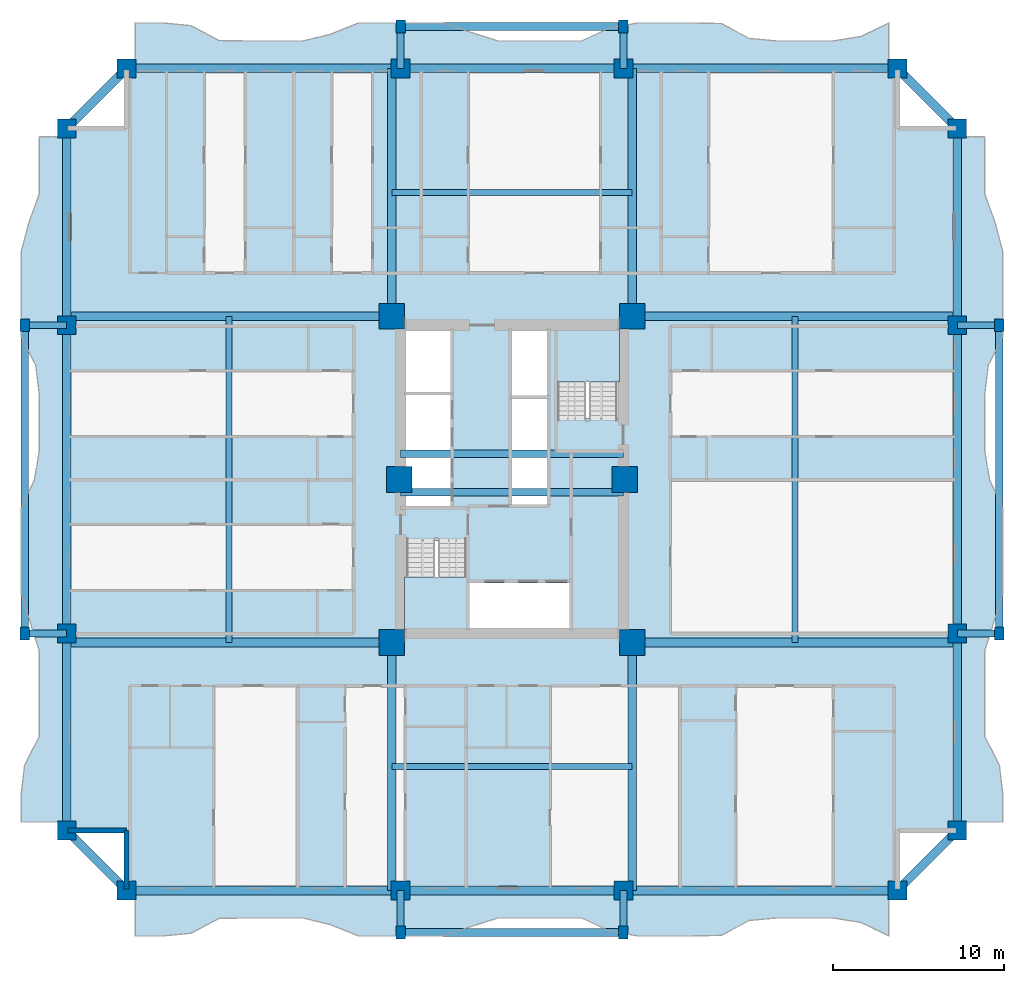
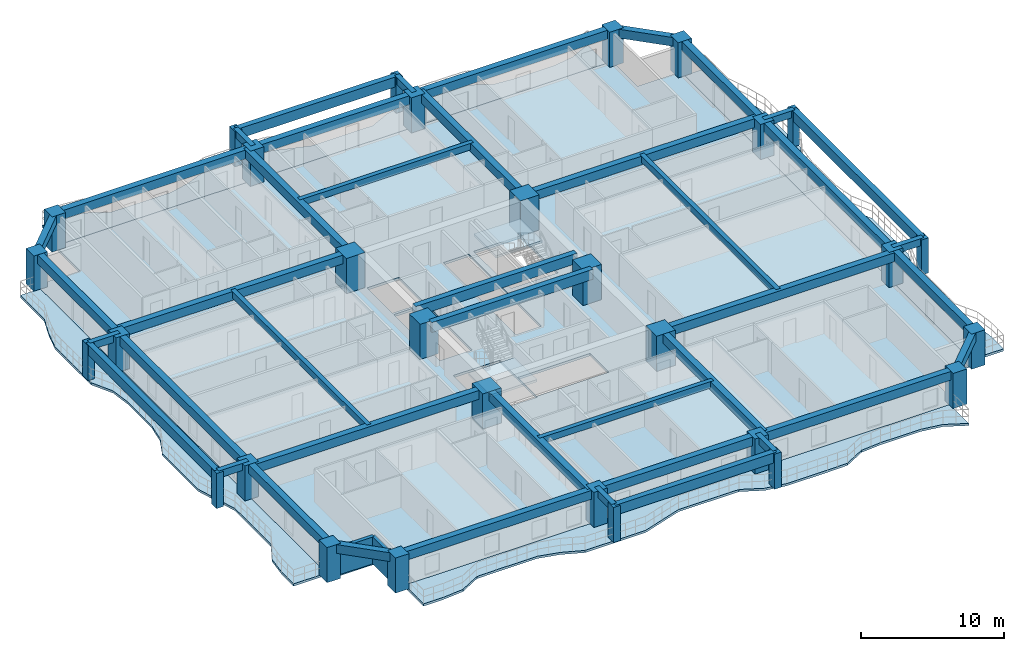
# One storey, part 1 of 15: 42 beams, 30 columns, 7 slabs, 2 walls, 2 elements without a shape of their own.
"""IFC4 building model written with IfcOpenShell, lengths in metres."""

from ifc_helpers import new_model, si_unit, direction, frame, frame_2d, origin, origin_2d, place, context, subcontext, project, spatial, polyline, rectangle, outline, extrude, source, transform, mapped, material, layer, layer_set, material_profile, profile_set, type_object, element, aggregate, save


model = new_model("IFC4")

# Units and contexts
model_context = context("Model", 3, precision=1e-05, world=origin(), true_north=direction((0.0, 1.0)))
body_context = subcontext(model_context, "Body", "Model", "MODEL_VIEW")
ifc_project = project(units=[si_unit("LENGTHUNIT", "METRE"), si_unit("AREAUNIT", "SQUARE_METRE"), si_unit("VOLUMEUNIT", "CUBIC_METRE"), si_unit("PLANEANGLEUNIT", "RADIAN"), si_unit("MASSUNIT", "GRAM", prefix="KILO")], contexts=[model_context])

# Site, building, storey
site_placement = place(None, origin())
site = spatial("IfcSite", under=ifc_project, at=site_placement, CompositionType="ELEMENT")
building_placement = place(site_placement, origin())
building = spatial("IfcBuilding", under=site, at=building_placement, Name="Saelheon Loggia Tower", CompositionType="ELEMENT")
storey_placement = place(building_placement, frame((0.0, 0.0, 46.39990234375)))
storey = spatial("IfcBuildingStorey", under=building, at=storey_placement, Name="L14", CompositionType="ELEMENT", Elevation=46.39990234375)

# Columns
ifc_material_1 = material(Name="Concrete C60/75", Category="concrete")
ifc_material_profile_1 = material_profile(ifc_material_1, rectangle(XDim=1.5, YDim=1.5, at=origin_2d()), Name="RC-1500x1500")
ifc_profile_set_1 = profile_set([ifc_material_profile_1], Name="Concrete C60/75")
column_type_1 = type_object("IfcColumnType", Name="Col_Core_RC1500", PredefinedType="COLUMN", material=ifc_profile_set_1)
shared_shape_1 = source(origin(), body_context, "Body", "SweptSolid", [
    extrude(rectangle(XDim=1.5, YDim=1.5, at=origin_2d()), origin(), (0.0, 0.0, 1.0), 3.0),
])
for number, where, z_axis, x_axis, name in (
    (1, (30.97998046875, 17.47998046875, 0.0), (0.0, 0.0, 1.0), (1.0, 0.0, 0.0), "L14 Core Column CR-SW"),
    (2, (45.02001953125, 17.47998046875, 0.0), (0.0, 0.0, 1.0), (1.0, 0.0, 0.0), "L14 Core Column CR-SE"),
    (3, (30.97998046875, 36.52001953125, 0.0), (0.0, 0.0, 1.0), (1.0, 0.0, 0.0), "L14 Core Column CR-NW"),
    (4, (45.02001953125, 36.52001953125, 0.0), (0.0, 0.0, 1.0), (1.0, 0.0, 0.0), "L14 Core Column CR-NE"),
    (5, (31.419921875, 27.0, 0.0), (0.0, 0.0, 1.0), (1.0, 0.0, 0.0), "L14 Core Column CR-MW"),
    (6, (44.580078125, 27.0, 0.0), (0.0, 0.0, 1.0), (1.0, 0.0, 0.0), "L14 Core Column CR-ME"),
):
    element("IfcColumn", number, at=place(storey_placement, frame(where, z_axis=z_axis, x_axis=x_axis)), inside=storey, type_object=column_type_1, Name=name, PredefinedType="COLUMN", context=body_context, shape_type="MappedRepresentation", body=[
        mapped(shared_shape_1, transform((0.0, 0.0, 0.0), scale=1.0)),
    ])
ifc_material_2 = material(Name="Concrete C50/60", Category="concrete")
ifc_material_profile_2 = material_profile(ifc_material_2, rectangle(XDim=1.10009765625, YDim=1.10009765625, at=origin_2d()), Name="RC-1100x1100")
ifc_profile_set_2 = profile_set([ifc_material_profile_2], Name="Concrete C50/60")
column_type_2 = type_object("IfcColumnType", Name="Col_PerimExt_RC1100", PredefinedType="COLUMN", material=ifc_profile_set_2)
shared_shape_2 = source(origin(), body_context, "Body", "SweptSolid", [
    extrude(rectangle(XDim=1.10009765625, YDim=1.10009765625, at=origin_2d()), origin(), (0.0, 0.0, 1.0), 3.0),
])
for number, where, z_axis, x_axis, name in (
    (7, (15.5, 3.0, 0.0), (0.0, 0.0, 1.0), (1.0, 0.0, 0.0), "L14 Perimeter Column TP-S1"),
    (8, (31.5, 3.0, 0.0), (0.0, 0.0, 1.0), (1.0, 0.0, 0.0), "L14 Perimeter Column TP-SA"),
    (9, (44.5, 3.0, 0.0), (0.0, 0.0, 1.0), (1.0, 0.0, 0.0), "L14 Perimeter Column TP-SB"),
    (10, (60.5, 3.0, 0.0), (0.0, 0.0, 1.0), (1.0, 0.0, 0.0), "L14 Perimeter Column TP-S2"),
    (11, (64.0, 6.5, 0.0), (0.0, 0.0, 1.0), (1.0, 0.0, 0.0), "L14 Perimeter Column TP-E1"),
    (12, (64.0, 18.0, 0.0), (0.0, 0.0, 1.0), (1.0, 0.0, 0.0), "L14 Perimeter Column TP-EA"),
    (13, (64.0, 36.0, 0.0), (0.0, 0.0, 1.0), (1.0, 0.0, 0.0), "L14 Perimeter Column TP-EB"),
    (14, (64.0, 47.5, 0.0), (0.0, 0.0, 1.0), (1.0, 0.0, 0.0), "L14 Perimeter Column TP-E2"),
    (15, (60.5, 51.0, 0.0), (0.0, 0.0, 1.0), (1.0, 0.0, 0.0), "L14 Perimeter Column TP-N2"),
    (16, (44.5, 51.0, 0.0), (0.0, 0.0, 1.0), (1.0, 0.0, 0.0), "L14 Perimeter Column TP-NB"),
    (17, (31.5, 51.0, 0.0), (0.0, 0.0, 1.0), (1.0, 0.0, 0.0), "L14 Perimeter Column TP-NA"),
    (18, (15.5, 51.0, 0.0), (0.0, 0.0, 1.0), (1.0, 0.0, 0.0), "L14 Perimeter Column TP-N1"),
    (19, (12.0, 47.5, 0.0), (0.0, 0.0, 1.0), (1.0, 0.0, 0.0), "L14 Perimeter Column TP-W2"),
    (20, (12.0, 36.0, 0.0), (0.0, 0.0, 1.0), (1.0, 0.0, 0.0), "L14 Perimeter Column TP-WB"),
    (21, (12.0, 18.0, 0.0), (0.0, 0.0, 1.0), (1.0, 0.0, 0.0), "L14 Perimeter Column TP-WA"),
    (22, (12.0, 6.5, 0.0), (0.0, 0.0, 1.0), (1.0, 0.0, 0.0), "L14 Perimeter Column TP-W1"),
):
    element("IfcColumn", number, at=place(storey_placement, frame(where, z_axis=z_axis, x_axis=x_axis)), inside=storey, type_object=column_type_2, Name=name, PredefinedType="COLUMN", context=body_context, shape_type="MappedRepresentation", body=[
        mapped(shared_shape_2, transform((0.0, 0.0, 0.0), scale=1.0)),
    ])
ifc_material_3 = material(Name="Precast Concrete C45/55", Category="concrete")
ifc_material_profile_3 = material_profile(ifc_material_3, rectangle(XDim=0.550048828125, YDim=0.75, at=origin_2d()), Name="RC-550x750")
ifc_profile_set_3 = profile_set([ifc_material_profile_3], Name="Precast Concrete C45/55")
column_type_3 = type_object("IfcColumnType", Name="Col_Loggia_Pilaster_750", PredefinedType="PILASTER", material=ifc_profile_set_3)
shared_shape_3 = source(origin(), body_context, "Body", "SweptSolid", [
    extrude(rectangle(XDim=0.550048828125, YDim=0.75, at=origin_2d()), origin(), (0.0, 0.0, 1.0), 3.0),
])
for number, where, z_axis, x_axis, name in (
    (23, (31.5, 0.550048828125, 0.0), (0.0, 0.0, 1.0), (1.0, 0.0, 0.0), "L14 Loggia Frame Pilaster LP-S1"),
    (24, (44.5, 0.550048828125, 0.0), (0.0, 0.0, 1.0), (1.0, 0.0, 0.0), "L14 Loggia Frame Pilaster LP-S2"),
    (25, (31.5, 53.449951171875, 0.0), (0.0, 0.0, 1.0), (1.0, 0.0, 0.0), "L14 Loggia Frame Pilaster LP-N1"),
    (26, (44.5, 53.449951171875, 0.0), (0.0, 0.0, 1.0), (1.0, 0.0, 0.0), "L14 Loggia Frame Pilaster LP-N2"),
    (27, (66.449951171875, 18.0, 0.0), (0.0, 0.0, 1.0), (1.0, 0.0, 0.0), "L14 Loggia Frame Pilaster LP-E1"),
    (28, (66.449951171875, 36.0, 0.0), (0.0, 0.0, 1.0), (1.0, 0.0, 0.0), "L14 Loggia Frame Pilaster LP-E2"),
    (29, (9.550048828125, 18.0, 0.0), (0.0, 0.0, 1.0), (1.0, 0.0, 0.0), "L14 Loggia Frame Pilaster LP-W1"),
    (30, (9.550048828125, 36.0, 0.0), (0.0, 0.0, 1.0), (1.0, 0.0, 0.0), "L14 Loggia Frame Pilaster LP-W2"),
):
    element("IfcColumn", number, at=place(storey_placement, frame(where, z_axis=z_axis, x_axis=x_axis)), inside=storey, type_object=column_type_3, Name=name, PredefinedType="PILASTER", context=body_context, shape_type="MappedRepresentation", body=[
        mapped(shared_shape_3, transform((0.0, 0.0, 0.0), scale=1.0)),
    ])

# Beams
ifc_material_profile_4 = material_profile(ifc_material_2, rectangle(XDim=0.449951171875, YDim=0.85009765625, at=origin_2d()), Name="RC-450x850")
ifc_profile_set_4 = profile_set([ifc_material_profile_4], Name="Concrete C50/60")
beam_type_1 = type_object("IfcBeamType", Name="Beam_CoreLintel_RC450x850", PredefinedType="LINTEL", material=ifc_profile_set_4)
shared_shape_4 = source(origin(), body_context, "Body", "SweptSolid", [
    extrude(rectangle(XDim=0.449951171875, YDim=0.85009765625, at=origin_2d()), origin(), (0.0, 0.0, 1.0), 13.0),
])
for number, where, z_axis, x_axis, name in (
    (31, (31.5, 26.25, 2.5751953125), (1.0, 0.0, 0.0), (0.0, 1.0, 0.0), "L14 Core Coupling Lintel 1"),
    (32, (31.5, 28.5, 2.5751953125), (1.0, 0.0, 0.0), (0.0, 1.0, 0.0), "L14 Core Coupling Lintel 2"),
):
    element("IfcBeam", number, at=place(storey_placement, frame(where, z_axis=z_axis, x_axis=x_axis)), inside=storey, type_object=beam_type_1, Name=name, PredefinedType="LINTEL", context=body_context, shape_type="MappedRepresentation", body=[
        mapped(shared_shape_4, transform((0.0, 0.0, 0.0), scale=1.0)),
    ])
ifc_material_profile_5 = material_profile(ifc_material_3, rectangle(XDim=0.449951171875, YDim=0.85009765625, at=origin_2d()), Name="RC-450x850")
ifc_profile_set_5 = profile_set([ifc_material_profile_5], Name="Precast Concrete C45/55")
beam_type_2 = type_object("IfcBeamType", Name="Beam_LoggiaSpandrel_RC450x850", PredefinedType="SPANDREL", material=ifc_profile_set_5)
for number, where, z_axis, x_axis, name in (
    (33, (31.5, 0.550048828125, 2.5751953125), (1.0, 0.0, 0.0), (0.0, 1.0, 0.0), "L14 Loggia Spandrel Beam S"),
    (34, (31.5, 53.449951171875, 2.5751953125), (1.0, 0.0, 0.0), (0.0, 1.0, 0.0), "L14 Loggia Spandrel Beam N"),
):
    element("IfcBeam", number, at=place(storey_placement, frame(where, z_axis=z_axis, x_axis=x_axis)), inside=storey, type_object=beam_type_2, Name=name, PredefinedType="SPANDREL", context=body_context, shape_type="MappedRepresentation", body=[
        mapped(shared_shape_4, transform((0.0, 0.0, 0.0), scale=1.0)),
    ])
ifc_material_4 = material(Name="Concrete C45/55", Category="concrete")
ifc_material_profile_6 = material_profile(ifc_material_4, rectangle(XDim=0.5, YDim=0.75, at=origin_2d()), Name="RC-500x750")
ifc_profile_set_6 = profile_set([ifc_material_profile_6], Name="Concrete C45/55")
beam_type_3 = type_object("IfcBeamType", Name="Beam_FloorGirder_RC500x750", PredefinedType="BEAM", material=ifc_profile_set_6)
shared_shape_5 = source(origin(), body_context, "Body", "SweptSolid", [
    extrude(rectangle(XDim=0.5, YDim=0.75, at=origin_2d()), origin(), (0.0, 0.0, 1.0), 14.47998046875),
])
for number, where, z_axis, x_axis, name in (
    (35, (30.97998046875, 17.47998046875, 2.625), (0.0, -1.0, 0.0), (1.0, 0.0, 0.0), "L14 Radial Floor Girder RAD-SW-S"),
    (36, (45.02001953125, 17.47998046875, 2.625), (0.0, -1.0, 0.0), (1.0, 0.0, 0.0), "L14 Radial Floor Girder RAD-SE-S"),
    (37, (30.97998046875, 36.52001953125, 2.625), (0.0, 1.0, 0.0), (-1.0, 0.0, 0.0), "L14 Radial Floor Girder RAD-NW-N"),
    (38, (45.02001953125, 36.52001953125, 2.625), (0.0, 1.0, 0.0), (-1.0, 0.0, 0.0), "L14 Radial Floor Girder RAD-NE-N"),
):
    element("IfcBeam", number, at=place(storey_placement, frame(where, z_axis=z_axis, x_axis=x_axis)), inside=storey, type_object=beam_type_3, Name=name, PredefinedType="BEAM", context=body_context, shape_type="MappedRepresentation", body=[
        mapped(shared_shape_5, transform((0.0, 0.0, 0.0), scale=1.0)),
    ])
ifc_material_profile_7 = material_profile(ifc_material_4, rectangle(XDim=0.5, YDim=0.75, at=origin_2d()), Name="RC-500x750")
ifc_profile_set_7 = profile_set([ifc_material_profile_7], Name="Concrete C45/55")
beam_type_4 = type_object("IfcBeamType", Name="Beam_PerimGirder_RC500x750", PredefinedType="BEAM", material=ifc_profile_set_7)
shared_shape_6 = source(origin(), body_context, "Body", "SweptSolid", [
    extrude(rectangle(XDim=0.5, YDim=0.75, at=origin_2d()), origin(), (0.0, 0.0, 1.0), 16.0),
])
for number, where, z_axis, x_axis, name in (
    (39, (15.5, 3.0, 2.625), (1.0, 0.0, 0.0), (0.0, 1.0, 0.0), "L14 Perimeter Frame Girder 01"),
    (40, (44.5, 3.0, 2.625), (1.0, 0.0, 0.0), (0.0, 1.0, 0.0), "L14 Perimeter Frame Girder 03"),
    (41, (60.5, 51.0, 2.625), (-1.0, 0.0, 0.0), (0.0, -1.0, 0.0), "L14 Perimeter Frame Girder 09"),
    (42, (31.5, 51.0, 2.625), (-1.0, 0.0, 0.0), (0.0, -1.0, 0.0), "L14 Perimeter Frame Girder 11"),
):
    element("IfcBeam", number, at=place(storey_placement, frame(where, z_axis=z_axis, x_axis=x_axis)), inside=storey, type_object=beam_type_4, Name=name, PredefinedType="BEAM", context=body_context, shape_type="MappedRepresentation", body=[
        mapped(shared_shape_6, transform((0.0, 0.0, 0.0), scale=1.0)),
    ])
shared_shape_7 = source(origin(), body_context, "Body", "SweptSolid", [
    extrude(rectangle(XDim=0.5, YDim=0.75, at=origin_2d()), origin(), (0.0, 0.0, 1.0), 13.0),
])
for number, where, z_axis, x_axis, name in (
    (43, (31.5, 3.0, 2.625), (1.0, 0.0, 0.0), (0.0, 1.0, 0.0), "L14 Perimeter Frame Girder 02"),
    (44, (44.5, 51.0, 2.625), (-1.0, 0.0, 0.0), (0.0, -1.0, 0.0), "L14 Perimeter Frame Girder 10"),
):
    element("IfcBeam", number, at=place(storey_placement, frame(where, z_axis=z_axis, x_axis=x_axis)), inside=storey, type_object=beam_type_4, Name=name, PredefinedType="BEAM", context=body_context, shape_type="MappedRepresentation", body=[
        mapped(shared_shape_7, transform((0.0, 0.0, 0.0), scale=1.0)),
    ])
shared_shape_8 = source(origin(), body_context, "Body", "SweptSolid", [
    extrude(rectangle(XDim=0.5, YDim=0.75, at=origin_2d()), origin(), (0.0, 0.0, 1.0), 4.94970703125),
])
for number, where, z_axis, x_axis, name in (
    (45, (60.5, 3.0, 2.625), (0.707106781187, 0.707106781187, 0.0), (-0.707106781187, 0.707106781187, 0.0), "L14 Perimeter Frame Girder 04"),
    (46, (64.0, 47.5, 2.625), (-0.707106781187, 0.707106781187, 0.0), (-0.707106781187, -0.707106781187, 0.0), "L14 Perimeter Frame Girder 08"),
    (47, (15.5, 51.0, 2.625), (-0.707106781187, -0.707106781187, 0.0), (0.707106781187, -0.707106781187, 0.0), "L14 Perimeter Frame Girder 12"),
    (48, (12.0, 6.5, 2.625), (0.707106781187, -0.707106781187, 0.0), (0.707106781187, 0.707106781187, 0.0), "L14 Perimeter Frame Girder 16"),
):
    element("IfcBeam", number, at=place(storey_placement, frame(where, z_axis=z_axis, x_axis=x_axis)), inside=storey, type_object=beam_type_4, Name=name, PredefinedType="BEAM", context=body_context, shape_type="MappedRepresentation", body=[
        mapped(shared_shape_8, transform((0.0, 0.0, 0.0), scale=1.0)),
    ])
shared_shape_9 = source(origin(), body_context, "Body", "SweptSolid", [
    extrude(rectangle(XDim=0.5, YDim=0.75, at=origin_2d()), origin(), (0.0, 0.0, 1.0), 11.5),
])
for number, where, z_axis, x_axis, name in (
    (49, (64.0, 6.5, 2.625), (0.0, 1.0, 0.0), (-1.0, 0.0, 0.0), "L14 Perimeter Frame Girder 05"),
    (50, (64.0, 36.0, 2.625), (0.0, 1.0, 0.0), (-1.0, 0.0, 0.0), "L14 Perimeter Frame Girder 07"),
    (51, (12.0, 47.5, 2.625), (0.0, -1.0, 0.0), (1.0, 0.0, 0.0), "L14 Perimeter Frame Girder 13"),
    (52, (12.0, 18.0, 2.625), (0.0, -1.0, 0.0), (1.0, 0.0, 0.0), "L14 Perimeter Frame Girder 15"),
):
    element("IfcBeam", number, at=place(storey_placement, frame(where, z_axis=z_axis, x_axis=x_axis)), inside=storey, type_object=beam_type_4, Name=name, PredefinedType="BEAM", context=body_context, shape_type="MappedRepresentation", body=[
        mapped(shared_shape_9, transform((0.0, 0.0, 0.0), scale=1.0)),
    ])
shared_shape_10 = source(origin(), body_context, "Body", "SweptSolid", [
    extrude(rectangle(XDim=0.5, YDim=0.75, at=origin_2d()), origin(), (0.0, 0.0, 1.0), 18.0),
])
for number, where, z_axis, x_axis, name in (
    (53, (64.0, 18.0, 2.625), (0.0, 1.0, 0.0), (-1.0, 0.0, 0.0), "L14 Perimeter Frame Girder 06"),
    (54, (12.0, 36.0, 2.625), (0.0, -1.0, 0.0), (1.0, 0.0, 0.0), "L14 Perimeter Frame Girder 14"),
):
    element("IfcBeam", number, at=place(storey_placement, frame(where, z_axis=z_axis, x_axis=x_axis)), inside=storey, type_object=beam_type_4, Name=name, PredefinedType="BEAM", context=body_context, shape_type="MappedRepresentation", body=[
        mapped(shared_shape_10, transform((0.0, 0.0, 0.0), scale=1.0)),
    ])
shared_shape_11 = source(origin(), body_context, "Body", "SweptSolid", [
    extrude(rectangle(XDim=0.5, YDim=0.75, at=origin_2d()), origin(), (0.0, 0.0, 1.0), 18.97998046875),
])
for number, where, z_axis, x_axis, name in (
    (55, (30.97998046875, 17.47998046875, 2.625), (-1.0, 0.0, 0.0), (0.0, -1.0, 0.0), "L14 Radial Floor Girder RAD-SW-W"),
    (56, (30.97998046875, 36.52001953125, 2.625), (-1.0, 0.0, 0.0), (0.0, -1.0, 0.0), "L14 Radial Floor Girder RAD-NW-W"),
    (57, (45.02001953125, 17.47998046875, 2.625), (1.0, 0.0, 0.0), (0.0, 1.0, 0.0), "L14 Radial Floor Girder RAD-SE-E"),
    (58, (45.02001953125, 36.52001953125, 2.625), (1.0, 0.0, 0.0), (0.0, 1.0, 0.0), "L14 Radial Floor Girder RAD-NE-E"),
):
    element("IfcBeam", number, at=place(storey_placement, frame(where, z_axis=z_axis, x_axis=x_axis)), inside=storey, type_object=beam_type_3, Name=name, PredefinedType="BEAM", context=body_context, shape_type="MappedRepresentation", body=[
        mapped(shared_shape_11, transform((0.0, 0.0, 0.0), scale=1.0)),
    ])
ifc_material_5 = material(Name="Concrete C40/50", Category="concrete")
ifc_material_profile_8 = material_profile(ifc_material_5, rectangle(XDim=0.35009765625, YDim=0.550048828125, at=origin_2d()), Name="RC-350x550")
ifc_profile_set_8 = profile_set([ifc_material_profile_8], Name="Concrete C40/50")
beam_type_5 = type_object("IfcBeamType", Name="Beam_Joist_RC350x550", PredefinedType="JOIST", material=ifc_profile_set_8)
shared_shape_12 = source(origin(), body_context, "Body", "SweptSolid", [
    extrude(rectangle(XDim=0.35009765625, YDim=0.550048828125, at=origin_2d()), origin(), (0.0, 0.0, 1.0), 14.0400390625),
])
for number, where, z_axis, x_axis, name in (
    (59, (30.97998046875, 10.239990234375, 2.72509765625), (1.0, 0.0, 0.0), (0.0, 1.0, 0.0), "L14 South Floor Joist"),
    (60, (30.97998046875, 43.760009765625, 2.72509765625), (1.0, 0.0, 0.0), (0.0, 1.0, 0.0), "L14 North Floor Joist"),
):
    element("IfcBeam", number, at=place(storey_placement, frame(where, z_axis=z_axis, x_axis=x_axis)), inside=storey, type_object=beam_type_5, Name=name, PredefinedType="JOIST", context=body_context, shape_type="MappedRepresentation", body=[
        mapped(shared_shape_12, transform((0.0, 0.0, 0.0), scale=1.0)),
    ])
shared_shape_13 = source(origin(), body_context, "Body", "SweptSolid", [
    extrude(rectangle(XDim=0.35009765625, YDim=0.550048828125, at=origin_2d()), origin(), (0.0, 0.0, 1.0), 19.0400390625),
])
for number, where, z_axis, x_axis, name in (
    (61, (21.489990234375, 17.47998046875, 2.72509765625), (0.0, 1.0, 0.0), (-1.0, 0.0, 0.0), "L14 West Floor Joist"),
    (62, (54.510009765625, 17.47998046875, 2.72509765625), (0.0, 1.0, 0.0), (-1.0, 0.0, 0.0), "L14 East Floor Joist"),
):
    element("IfcBeam", number, at=place(storey_placement, frame(where, z_axis=z_axis, x_axis=x_axis)), inside=storey, type_object=beam_type_5, Name=name, PredefinedType="JOIST", context=body_context, shape_type="MappedRepresentation", body=[
        mapped(shared_shape_13, transform((0.0, 0.0, 0.0), scale=1.0)),
    ])
ifc_material_profile_9 = material_profile(ifc_material_3, rectangle(XDim=0.39990234375, YDim=0.60009765625, at=origin_2d()), Name="RC-400x600")
ifc_profile_set_9 = profile_set([ifc_material_profile_9], Name="Precast Concrete C45/55")
beam_type_6 = type_object("IfcBeamType", Name="Beam_LoggiaTie_RC400x600", PredefinedType="BEAM", material=ifc_profile_set_9)
shared_shape_14 = source(origin(), body_context, "Body", "SweptSolid", [
    extrude(rectangle(XDim=0.39990234375, YDim=0.60009765625, at=origin_2d()), origin(), (0.0, 0.0, 1.0), 2.449951171875),
])
for number, where, z_axis, x_axis, name in (
    (63, (31.5, 3.0, 2.7001953125), (0.0, -1.0, 0.0), (1.0, 0.0, 0.0), "L14 Loggia Frame Tie Beam LP-S1"),
    (64, (44.5, 3.0, 2.7001953125), (0.0, -1.0, 0.0), (1.0, 0.0, 0.0), "L14 Loggia Frame Tie Beam LP-S2"),
    (65, (31.5, 51.0, 2.7001953125), (0.0, 1.0, 0.0), (-1.0, 0.0, 0.0), "L14 Loggia Frame Tie Beam LP-N1"),
    (66, (44.5, 51.0, 2.7001953125), (0.0, 1.0, 0.0), (-1.0, 0.0, 0.0), "L14 Loggia Frame Tie Beam LP-N2"),
    (67, (64.0, 18.0, 2.7001953125), (1.0, 0.0, 0.0), (0.0, 1.0, 0.0), "L14 Loggia Frame Tie Beam LP-E1"),
    (68, (64.0, 36.0, 2.7001953125), (1.0, 0.0, 0.0), (0.0, 1.0, 0.0), "L14 Loggia Frame Tie Beam LP-E2"),
    (69, (12.0, 18.0, 2.7001953125), (-1.0, 0.0, 0.0), (0.0, -1.0, 0.0), "L14 Loggia Frame Tie Beam LP-W1"),
    (70, (12.0, 36.0, 2.7001953125), (-1.0, 0.0, 0.0), (0.0, -1.0, 0.0), "L14 Loggia Frame Tie Beam LP-W2"),
):
    element("IfcBeam", number, at=place(storey_placement, frame(where, z_axis=z_axis, x_axis=x_axis)), inside=storey, type_object=beam_type_6, Name=name, PredefinedType="BEAM", context=body_context, shape_type="MappedRepresentation", body=[
        mapped(shared_shape_14, transform((0.0, 0.0, 0.0), scale=1.0)),
    ])
shared_shape_15 = source(origin(), body_context, "Body", "SweptSolid", [
    extrude(rectangle(XDim=0.449951171875, YDim=0.85009765625, at=origin_2d()), origin(), (0.0, 0.0, 1.0), 18.0),
])
for number, where, z_axis, x_axis, name in (
    (71, (66.449951171875, 18.0, 2.5751953125), (0.0, 1.0, 0.0), (-1.0, 0.0, 0.0), "L14 Loggia Spandrel Beam E"),
    (72, (9.550048828125, 18.0, 2.5751953125), (0.0, 1.0, 0.0), (-1.0, 0.0, 0.0), "L14 Loggia Spandrel Beam W"),
):
    element("IfcBeam", number, at=place(storey_placement, frame(where, z_axis=z_axis, x_axis=x_axis)), inside=storey, type_object=beam_type_2, Name=name, PredefinedType="SPANDREL", context=body_context, shape_type="MappedRepresentation", body=[
        mapped(shared_shape_15, transform((0.0, 0.0, 0.0), scale=1.0)),
    ])

# Slabs
ifc_layer_1 = layer(ifc_material_3, 0.18994140625)
ifc_layer_set_1 = layer_set([ifc_layer_1], Name="Precast Concrete C45/55")
slab_type_1 = type_object("IfcSlabType", Name="Slab_Loggia_Ext_190", PredefinedType="FLOOR", material=ifc_layer_set_1)
slab_1_placement = place(storey_placement, frame((0.0, 0.0, -0.18994140625)))
element("IfcSlab", 73, at=slab_1_placement, inside=storey, type_object=slab_type_1, Name="L14 Loggia Balcony Slab S", PredefinedType="FLOOR", context=body_context, shape_type="SweptSolid", body=[
    extrude(outline(polyline([(16.0, 0.35009765625), (17.629638671875, 0.35009765625), (19.25927734375, 0.505615234375), (20.888916015625, 1.37353515625), (22.5185546875, 1.39990234375), (24.148193359375, 1.39990234375), (25.77783203125, 1.39990234375), (27.407470703125, 1.0087890625), (29.037109375, 0.35009765625), (30.666748046875, 0.35009765625), (32.29638671875, 0.35009765625), (33.92578125, 0.35009765625), (35.5556640625, 0.880126953125), (37.185302734375, 1.39990234375), (38.814697265625, 1.39990234375), (40.4443359375, 1.39990234375), (42.07421875, 1.39990234375), (43.70361328125, 0.631591796875), (45.333251953125, 0.35009765625), (46.962890625, 0.35009765625), (48.592529296875, 0.35009765625), (50.22216796875, 0.382568359375), (51.851806640625, 1.252685546875), (53.4814453125, 1.39990234375), (55.111083984375, 1.39990234375), (56.74072265625, 1.39990234375), (58.370361328125, 1.1357421875), (60.0, 0.35009765625), (60.0, 3.0), (16.0, 3.0), (16.0, 0.35009765625)])), origin(), (0.0, 0.0, 1.0), 0.18994140625),
])
slab_2_placement = place(storey_placement, frame((0.0, 0.0, -0.18994140625)))
element("IfcSlab", 74, at=slab_2_placement, inside=storey, type_object=slab_type_1, Name="L14 Loggia Balcony Slab N", PredefinedType="FLOOR", context=body_context, shape_type="SweptSolid", body=[
    extrude(outline(polyline([(16.0, 51.0), (60.0, 51.0), (60.0, 53.64990234375), (58.370361328125, 52.8642578125), (56.74072265625, 52.60009765625), (55.111083984375, 52.60009765625), (53.4814453125, 52.60009765625), (51.851806640625, 52.747314453125), (50.22216796875, 53.617431640625), (48.592529296875, 53.64990234375), (46.962890625, 53.64990234375), (45.333251953125, 53.64990234375), (43.70361328125, 53.368408203125), (42.07421875, 52.60009765625), (40.4443359375, 52.60009765625), (38.814697265625, 52.60009765625), (37.185302734375, 52.60009765625), (35.5556640625, 53.119873046875), (33.92578125, 53.64990234375), (32.29638671875, 53.64990234375), (30.666748046875, 53.64990234375), (29.037109375, 53.64990234375), (27.407470703125, 52.9912109375), (25.77783203125, 52.60009765625), (24.148193359375, 52.60009765625), (22.5185546875, 52.60009765625), (20.888916015625, 52.62646484375), (19.25927734375, 53.494384765625), (17.629638671875, 53.64990234375), (16.0, 53.64990234375), (16.0, 51.0)])), origin(), (0.0, 0.0, 1.0), 0.18994140625),
])
slab_3_placement = place(storey_placement, frame((0.0, 0.0, -0.18994140625)))
element("IfcSlab", 75, at=slab_3_placement, inside=storey, type_object=slab_type_1, Name="L14 Loggia Balcony Slab E", PredefinedType="FLOOR", context=body_context, shape_type="SweptSolid", body=[
    extrude(outline(polyline([(64.0, 7.0), (66.64990234375, 7.0), (66.64990234375, 8.666748046875), (66.455322265625, 10.333251953125), (65.60009765625, 12.0), (65.60009765625, 13.666748046875), (65.60009765625, 15.333251953125), (65.60009765625, 17.0), (66.1318359375, 18.666748046875), (66.64990234375, 20.333251953125), (66.64990234375, 22.0), (66.64990234375, 23.666748046875), (66.64990234375, 25.333251953125), (65.8798828125, 27.0), (65.60009765625, 28.666748046875), (65.60009765625, 30.333251953125), (65.60009765625, 32.0), (65.809326171875, 33.666748046875), (66.64990234375, 35.333251953125), (66.64990234375, 37.0), (66.64990234375, 38.666748046875), (66.64990234375, 40.333251953125), (66.204345703125, 42.0), (65.60009765625, 43.666748046875), (65.60009765625, 45.333251953125), (65.60009765625, 47.0), (64.0, 47.0), (64.0, 7.0)])), origin(), (0.0, 0.0, 1.0), 0.18994140625),
])
slab_4_placement = place(storey_placement, frame((0.0, 0.0, -0.18994140625)))
element("IfcSlab", 76, at=slab_4_placement, inside=storey, type_object=slab_type_1, Name="L14 Loggia Balcony Slab W", PredefinedType="FLOOR", context=body_context, shape_type="SweptSolid", body=[
    extrude(outline(polyline([(12.0, 7.0), (12.0, 47.0), (10.39990234375, 47.0), (10.39990234375, 45.333251953125), (10.39990234375, 43.666748046875), (9.795654296875, 42.0), (9.35009765625, 40.333251953125), (9.35009765625, 38.666748046875), (9.35009765625, 37.0), (9.35009765625, 35.333251953125), (10.190673828125, 33.666748046875), (10.39990234375, 32.0), (10.39990234375, 30.333251953125), (10.39990234375, 28.666748046875), (10.1201171875, 27.0), (9.35009765625, 25.333251953125), (9.35009765625, 23.666748046875), (9.35009765625, 22.0), (9.35009765625, 20.333251953125), (9.8681640625, 18.666748046875), (10.39990234375, 17.0), (10.39990234375, 15.333251953125), (10.39990234375, 13.666748046875), (10.39990234375, 12.0), (9.544677734375, 10.333251953125), (9.35009765625, 8.666748046875), (9.35009765625, 7.0), (12.0, 7.0)])), origin(), (0.0, 0.0, 1.0), 0.18994140625),
])

# Stair, slab
stair_type = type_object("IfcStairType", Name="Stair_Escape_Core", PredefinedType="HALF_TURN_STAIR", material=ifc_material_5)
stair_1_placement = place(storey_placement, origin())
stair_1 = element("IfcStair", 77, at=stair_1_placement, inside=storey, type_object=stair_type, Name="L14 Special Escape Stair ST1", PredefinedType="HALF_TURN_STAIR")
ifc_layer_2 = layer(ifc_material_5, 0.199951171875)
ifc_layer_set_2 = layer_set([ifc_layer_2], Name="Concrete C40/50")
slab_type_2 = type_object("IfcSlabType", Name="Slab_StairLanding_ST1", PredefinedType="LANDING", material=ifc_layer_set_2)
slab_5_placement = place(storey_placement, frame((0.0, 0.0, 1.300048828125)))
slab_5 = element("IfcSlab", 78, at=slab_5_placement, type_object=slab_type_2, Name="ST1 landing 1", PredefinedType="LANDING", context=body_context, shape_type="SweptSolid", body=[
    extrude(outline(polyline([(31.7099609375, 21.31005859375), (31.7099609375, 18.2099609375), (35.469970703125, 18.2099609375), (35.469970703125, 21.31005859375), (31.7099609375, 21.31005859375)])), origin(), (0.0, 0.0, 1.0), 0.199951171875),
])
aggregate(stair_1, [slab_5])

stair_2_placement = place(storey_placement, origin())
stair_2 = element("IfcStair", 79, at=stair_2_placement, inside=storey, type_object=stair_type, Name="L14 Special Escape Stair ST2", PredefinedType="HALF_TURN_STAIR")
ifc_layer_3 = layer(ifc_material_5, 0.199951171875)
ifc_layer_set_3 = layer_set([ifc_layer_3], Name="Concrete C40/50")
slab_type_3 = type_object("IfcSlabType", Name="Slab_StairLanding_ST2", PredefinedType="LANDING", material=ifc_layer_set_3)
slab_6_placement = place(storey_placement, frame((0.0, 0.0, 1.300048828125)))
slab_6 = element("IfcSlab", 80, at=slab_6_placement, type_object=slab_type_3, Name="ST2 landing 1", PredefinedType="LANDING", context=body_context, shape_type="SweptSolid", body=[
    extrude(outline(polyline([(44.2900390625, 32.68994140625), (44.2900390625, 35.7900390625), (40.530029296875, 35.7900390625), (40.530029296875, 32.68994140625), (44.2900390625, 32.68994140625)])), origin(), (0.0, 0.0, 1.0), 0.199951171875),
])
aggregate(stair_2, [slab_6])

# Slab
ifc_layer_4 = layer(ifc_material_5, 0.2099609375)
ifc_layer_set_4 = layer_set([ifc_layer_4], Name="Concrete C40/50")
slab_type_4 = type_object("IfcSlabType", Name="Slab_Tower_210", PredefinedType="FLOOR", material=ifc_layer_set_4)
slab_7_placement = place(storey_placement, frame((0.0, 0.0, -0.2099609375)))
element("IfcSlab", 81, at=slab_7_placement, inside=storey, type_object=slab_type_4, Name="L14 Tower Floor Slab", PredefinedType="FLOOR", context=body_context, shape_type="SweptSolid", body=[
    extrude(outline(polyline([(15.5, 3.0), (60.5, 3.0), (60.5, 6.5), (64.0, 6.5), (64.0, 47.5), (60.5, 47.5), (60.5, 51.0), (15.5, 51.0), (15.5, 47.5), (12.0, 47.5), (12.0, 6.5), (15.5, 6.5), (15.5, 3.0)]), holes=[polyline([(31.699951171875, 23.409912109375), (31.699951171875, 18.199951171875), (35.47998046875, 18.199951171875), (35.47998046875, 23.409912109375), (31.699951171875, 23.409912109375)]), polyline([(44.300048828125, 30.590087890625), (44.300048828125, 35.800048828125), (40.52001953125, 35.800048828125), (40.52001953125, 30.590087890625), (44.300048828125, 30.590087890625)]), polyline([(35.530029296875, 18.324951171875), (41.35009765625, 18.324951171875), (41.35009765625, 20.9599609375), (35.530029296875, 20.9599609375), (35.530029296875, 18.324951171875)]), polyline([(31.824951171875, 32.1201171875), (34.419921875, 32.1201171875), (34.419921875, 35.675048828125), (31.824951171875, 35.675048828125), (31.824951171875, 32.1201171875)]), polyline([(38.0, 31.89990234375), (40.050048828125, 31.89990234375), (40.050048828125, 35.675048828125), (38.0, 35.675048828125), (38.0, 31.89990234375)]), polyline([(31.824951171875, 25.449951171875), (34.419921875, 25.449951171875), (34.419921875, 31.919921875), (31.824951171875, 31.919921875), (31.824951171875, 25.449951171875)]), polyline([(38.0, 25.5400390625), (40.050048828125, 25.5400390625), (40.050048828125, 31.699951171875), (38.0, 31.699951171875), (38.0, 25.5400390625)])]), origin(), (0.0, 0.0, 1.0), 0.2099609375),
])

# Walls
ifc_material_6 = material(Name="Architectural Precast Concrete C40/50", Category="concrete")
ifc_layer_5 = layer(ifc_material_6, 0.280029296875)
ifc_layer_set_5 = layer_set([ifc_layer_5], Name="Architectural Precast Concrete C40/50")
wall_type = type_object("IfcWallType", Name="Wall_Ext_Loggia_280", PredefinedType="SOLIDWALL", material=ifc_layer_set_5)
for number, where, z_axis, x_axis, name in (
    (82, (15.5, 3.080078125, 0.0), (0.0, 0.0, 1.0), (0.0, 1.0, 0.0), "L14 Corner Notch Precast Wall SW1"),
    (83, (12.080078125, 6.5, 0.0), (0.0, 0.0, 1.0), (1.0, 0.0, 0.0), "L14 Corner Notch Precast Wall SW2"),
):
    element("IfcWall", number, at=place(storey_placement, frame(where, z_axis=z_axis, x_axis=x_axis)), inside=storey, type_object=wall_type, Name=name, PredefinedType="SOLIDWALL", context=body_context, shape_type="SweptSolid", body=[
        extrude(rectangle(XDim=3.419921875, YDim=0.280029296875, at=frame_2d((1.7099609375, 0.0))), origin(), (0.0, 0.0, 1.0), 2.280029296875),
    ])

save(model, "model.ifc")
